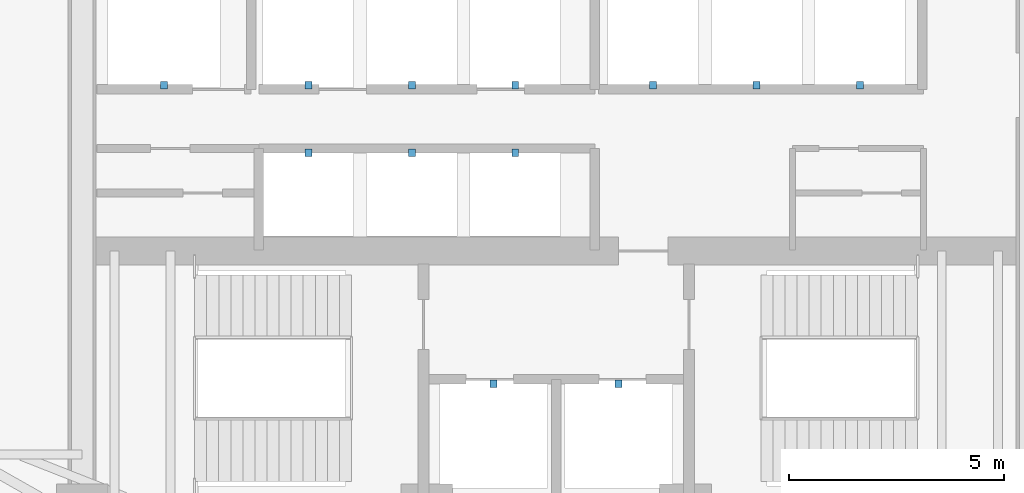
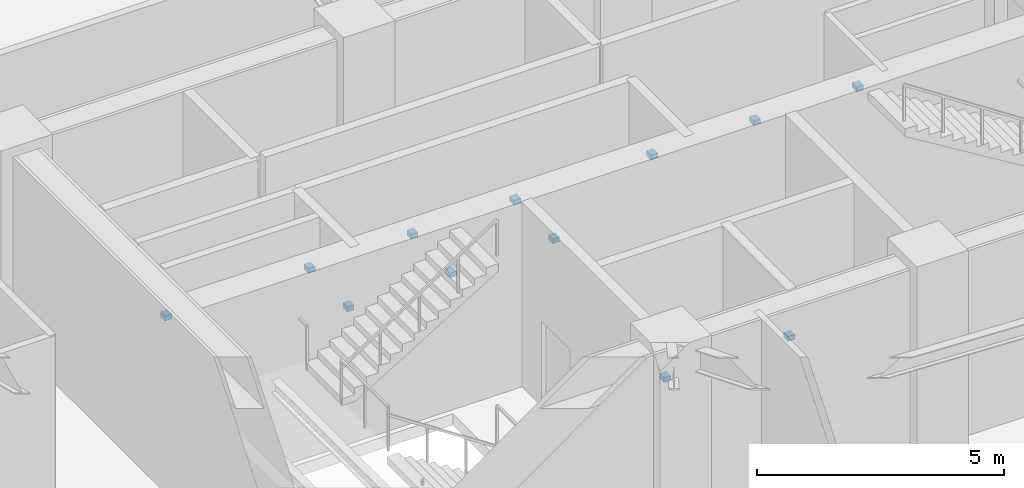
# One storey, part 21 of 26: 12 discrete accessories.
"""IFC4 building model written with IfcOpenShell, lengths in metres."""

from ifc_helpers import new_model, si_unit, direction, frame, origin, origin_2d, place, context, subcontext, project, spatial, rectangle, extrude, material, type_object, element, save


model = new_model("IFC4")

# Units and contexts
model_context = context("Model", 3, precision=1e-05, world=origin(), true_north=direction((0.0, 1.0)))
body_context = subcontext(model_context, "Body", "Model", "MODEL_VIEW")
ifc_project = project(units=[si_unit("LENGTHUNIT", "METRE"), si_unit("AREAUNIT", "SQUARE_METRE"), si_unit("VOLUMEUNIT", "CUBIC_METRE"), si_unit("PLANEANGLEUNIT", "RADIAN"), si_unit("MASSUNIT", "GRAM", prefix="KILO")], contexts=[model_context])

# Site, building, storey
site_placement = place(None, origin())
site = spatial("IfcSite", under=ifc_project, at=site_placement, CompositionType="ELEMENT")
building_placement = place(site_placement, origin())
building = spatial("IfcBuilding", under=site, at=building_placement, Name="Kazevale Care Tower and Concert Hall", CompositionType="ELEMENT")
storey_placement = place(building_placement, frame((0.0, 0.0, 19.199951171875)))
storey = spatial("IfcBuildingStorey", under=building, at=storey_placement, Name="L04", CompositionType="ELEMENT", Elevation=19.199951171875)

# Discrete accessories
ifc_material = material(Name="Stainless Steel 316", Category="steel")
discrete_accessory_type = type_object("IfcDiscreteAccessoryType", Name="Hoistway Guide-Rail Wall Bracket HBRK-1", PredefinedType="BRACKET", material=ifc_material)
for number, where, z_axis, x_axis, name in (
    (1, (31.550048828125, 26.52001953125, 1.239990234375), (0.0, 0.0, 1.0), (1.0, 0.0, 0.0), "hbrk:FFL-1:L04"),
    (2, (34.449951171875, 26.52001953125, 1.239990234375), (0.0, 0.0, 1.0), (1.0, 0.0, 0.0), "hbrk:FFL-2:L04"),
    (3, (23.89990234375, 33.449951171875, 1.239990234375), (0.0, 0.0, 1.0), (1.0, 0.0, 0.0), "hbrk:SVL-1:L04"),
    (4, (27.25, 33.449951171875, 1.239990234375), (0.0, 0.0, 1.0), (1.0, 0.0, 0.0), "hbrk:PL-1:L04"),
    (5, (29.64990234375, 33.449951171875, 1.239990234375), (0.0, 0.0, 1.0), (1.0, 0.0, 0.0), "hbrk:PL-2:L04"),
    (6, (32.050048828125, 33.449951171875, 1.239990234375), (0.0, 0.0, 1.0), (1.0, 0.0, 0.0), "hbrk:PL-3:L04"),
    (7, (35.25, 33.449951171875, 1.239990234375), (0.0, 0.0, 1.0), (1.0, 0.0, 0.0), "hbrk:PM-1:L04"),
    (8, (37.64990234375, 33.449951171875, 1.239990234375), (0.0, 0.0, 1.0), (1.0, 0.0, 0.0), "hbrk:PM-2:L04"),
    (9, (40.050048828125, 33.449951171875, 1.239990234375), (0.0, 0.0, 1.0), (1.0, 0.0, 0.0), "hbrk:PM-3:L04"),
    (10, (27.25, 31.8798828125, 1.239990234375), (0.0, 0.0, 1.0), (1.0, 0.0, 0.0), "hbrk:PH-1:L04"),
    (11, (29.64990234375, 31.8798828125, 1.239990234375), (0.0, 0.0, 1.0), (1.0, 0.0, 0.0), "hbrk:PH-2:L04"),
    (12, (32.050048828125, 31.8798828125, 1.239990234375), (0.0, 0.0, 1.0), (1.0, 0.0, 0.0), "hbrk:PH-3:L04"),
):
    element("IfcDiscreteAccessory", number, at=place(storey_placement, frame(where, z_axis=z_axis, x_axis=x_axis)), inside=storey, type_object=discrete_accessory_type, Name=name, PredefinedType="BRACKET", context=body_context, shape_type="SweptSolid", body=[
        extrude(rectangle(XDim=0.159912109375, YDim=0.179931640625, at=origin_2d()), origin(), (0.0, 0.0, 1.0), 0.1201171875),
    ])

save(model, "model.ifc")
